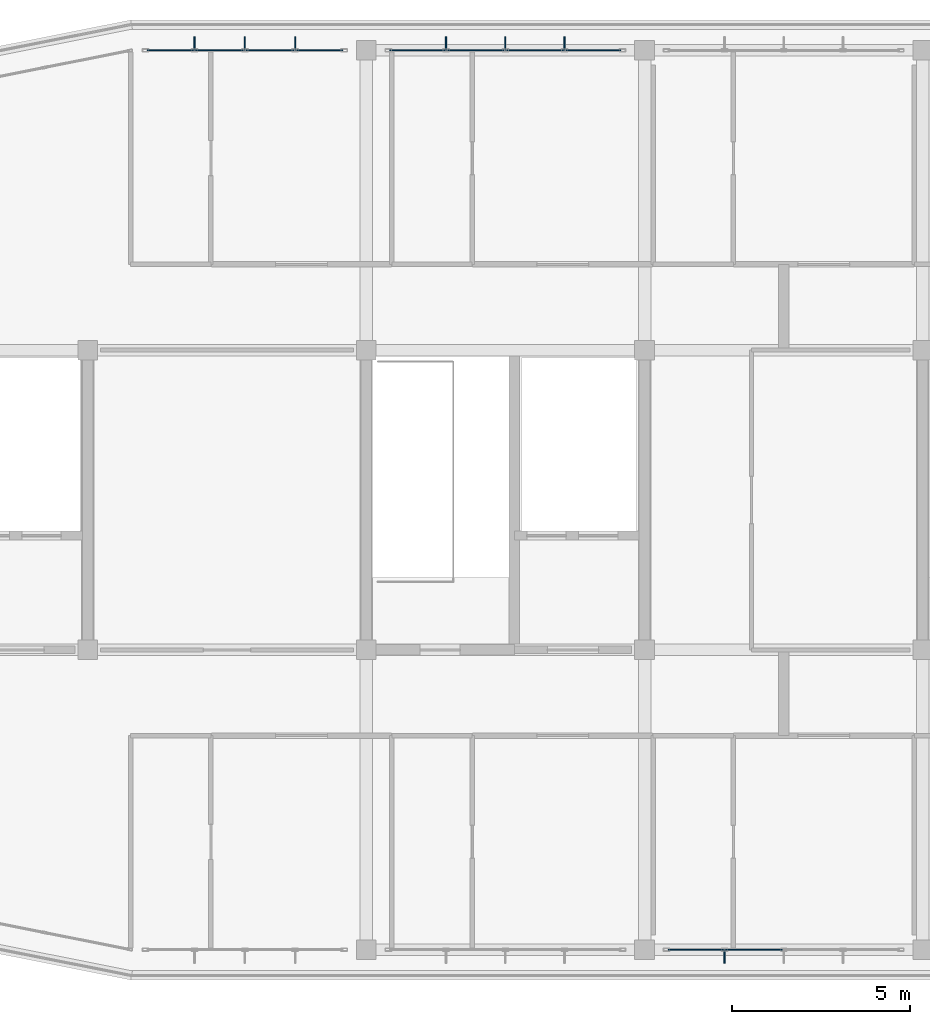
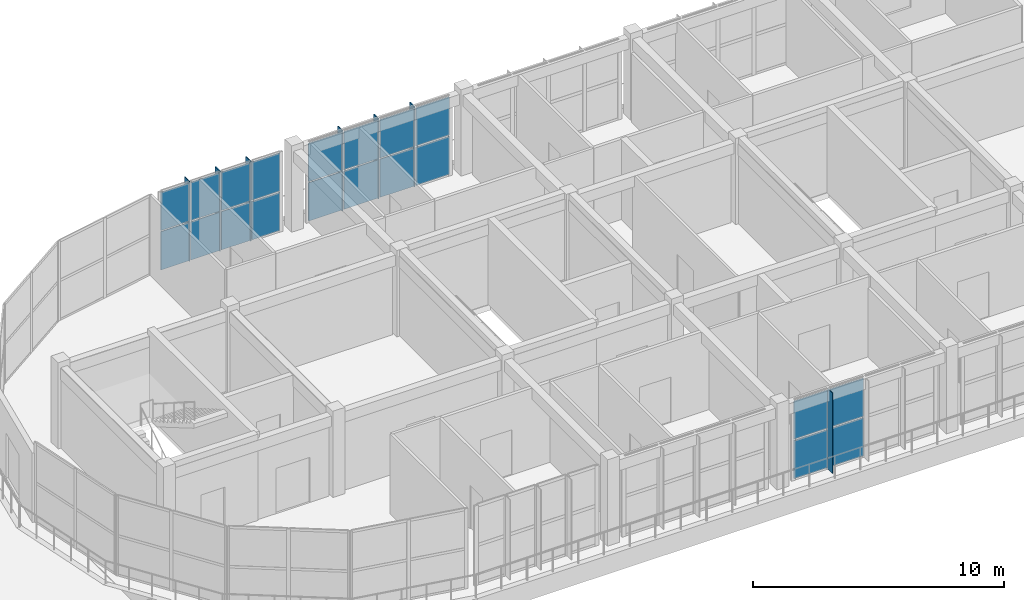
# One storey, part 23 of 33: 27 plates, 3 elements without a shape of their own.
"""IFC4 building model written with IfcOpenShell, lengths in metres."""

from ifc_helpers import new_model, si_unit, direction, frame, origin, origin_2d, place, context, subcontext, project, spatial, polyline, rectangle, outline, extrude, material, layer, layer_set, type_object, element, aggregate, save


model = new_model("IFC4")

# Units and contexts
model_context = context("Model", 3, precision=1e-05, world=origin(), true_north=direction((0.0, 1.0)))
body_context = subcontext(model_context, "Body", "Model", "MODEL_VIEW")
ifc_project = project(units=[si_unit("LENGTHUNIT", "METRE"), si_unit("AREAUNIT", "SQUARE_METRE"), si_unit("VOLUMEUNIT", "CUBIC_METRE"), si_unit("PLANEANGLEUNIT", "RADIAN"), si_unit("MASSUNIT", "GRAM", prefix="KILO")], contexts=[model_context])

# Site, building, storey
site_placement = place(None, origin())
site = spatial("IfcSite", under=ifc_project, at=site_placement, CompositionType="ELEMENT")
building_placement = place(site_placement, origin())
building = spatial("IfcBuilding", under=site, at=building_placement, Name="Zizhar Promenade General Hospital", CompositionType="ELEMENT")
storey_placement = place(building_placement, frame((0.0, 0.0, 39.0)))
storey = spatial("IfcBuildingStorey", under=building, at=storey_placement, Name="L09", CompositionType="ELEMENT", Elevation=39.0)

# Curtain wall, plates
ifc_material_1 = material(Name="Anodised aluminium 6063-T6 and low-E glass", Category="aluminium")
ifc_layer_1 = layer(ifc_material_1, 0.159912109375)
ifc_layer_set_1 = layer_set([ifc_layer_1], Name="Anodised aluminium 6063-T6 and low-E glass")
curtain_wall_type = type_object("IfcCurtainWallType", Name="CW-WARD-RIB", PredefinedType="NOTDEFINED", material=ifc_layer_set_1)
curtain_wall_1_placement = place(storey_placement, origin())
curtain_wall_1 = element("IfcCurtainWall", 1, at=curtain_wall_1_placement, inside=storey, type_object=curtain_wall_type, Name="Ward Ribbon Curtain Wall L09-8-0", PredefinedType="NOTDEFINED")
ifc_material_2 = material(Name="Low-E solar-control glass", Category="glass")
ifc_layer_2 = layer(ifc_material_2, 0.031982421875)
ifc_layer_set_2 = layer_set([ifc_layer_2], Name="Low-E solar-control glass")
plate_type_1 = type_object("IfcPlateType", Name="CWP-GLZ-32", PredefinedType="CURTAIN_PANEL", material=ifc_layer_set_2)
plate_1_placement = place(storey_placement, frame((56.905029296875, 25.199951171875, 0.06005859375), z_axis=(0.0, 0.0, 1.0), x_axis=(1.0, 0.0, 0.0)))
plate_1 = element("IfcPlate", 2, at=plate_1_placement, type_object=plate_type_1, Name="CW-13 panel 1.1", PredefinedType="CURTAIN_PANEL", context=body_context, shape_type="SweptSolid", body=[
    extrude(rectangle(XDim=1.2900390625, YDim=0.031982421875, at=origin_2d()), origin(), (0.0, 0.0, 1.0), 1.860107421875),
])
plate_2_placement = place(storey_placement, frame((56.905029296875, 25.199951171875, 1.97998046875), z_axis=(0.0, 0.0, 1.0), x_axis=(1.0, 0.0, 0.0)))
plate_2 = element("IfcPlate", 3, at=plate_2_placement, type_object=plate_type_1, Name="CW-13 panel 1.2", PredefinedType="CURTAIN_PANEL", context=body_context, shape_type="SweptSolid", body=[
    extrude(rectangle(XDim=1.2900390625, YDim=0.031982421875, at=origin_2d()), origin(), (0.0, 0.0, 1.0), 1.860107421875),
])
plate_3_placement = place(storey_placement, frame((58.294921875, 25.199951171875, 0.06005859375), z_axis=(0.0, 0.0, 1.0), x_axis=(1.0, 0.0, 0.0)))
plate_3 = element("IfcPlate", 4, at=plate_3_placement, type_object=plate_type_1, Name="CW-13 panel 2.1", PredefinedType="CURTAIN_PANEL", context=body_context, shape_type="SweptSolid", body=[
    extrude(rectangle(XDim=1.330078125, YDim=0.031982421875, at=origin_2d()), origin(), (0.0, 0.0, 1.0), 1.860107421875),
])
plate_4_placement = place(storey_placement, frame((58.294921875, 25.199951171875, 1.97998046875), z_axis=(0.0, 0.0, 1.0), x_axis=(1.0, 0.0, 0.0)))
plate_4 = element("IfcPlate", 5, at=plate_4_placement, type_object=plate_type_1, Name="CW-13 panel 2.2", PredefinedType="CURTAIN_PANEL", context=body_context, shape_type="SweptSolid", body=[
    extrude(rectangle(XDim=1.330078125, YDim=0.031982421875, at=origin_2d()), origin(), (0.0, 0.0, 1.0), 1.860107421875),
])
plate_5_placement = place(storey_placement, frame((59.705078125, 25.199951171875, 0.06005859375), z_axis=(0.0, 0.0, 1.0), x_axis=(1.0, 0.0, 0.0)))
plate_5 = element("IfcPlate", 6, at=plate_5_placement, type_object=plate_type_1, Name="CW-13 panel 3.1", PredefinedType="CURTAIN_PANEL", context=body_context, shape_type="SweptSolid", body=[
    extrude(rectangle(XDim=1.330078125, YDim=0.031982421875, at=origin_2d()), origin(), (0.0, 0.0, 1.0), 1.860107421875),
])
plate_6_placement = place(storey_placement, frame((59.705078125, 25.199951171875, 1.97998046875), z_axis=(0.0, 0.0, 1.0), x_axis=(1.0, 0.0, 0.0)))
plate_6 = element("IfcPlate", 7, at=plate_6_placement, type_object=plate_type_1, Name="CW-13 panel 3.2", PredefinedType="CURTAIN_PANEL", context=body_context, shape_type="SweptSolid", body=[
    extrude(rectangle(XDim=1.330078125, YDim=0.031982421875, at=origin_2d()), origin(), (0.0, 0.0, 1.0), 1.860107421875),
])
plate_7_placement = place(storey_placement, frame((61.094970703125, 25.199951171875, 0.06005859375), z_axis=(0.0, 0.0, 1.0), x_axis=(1.0, 0.0, 0.0)))
plate_7 = element("IfcPlate", 8, at=plate_7_placement, type_object=plate_type_1, Name="CW-13 panel 4.1", PredefinedType="CURTAIN_PANEL", context=body_context, shape_type="SweptSolid", body=[
    extrude(rectangle(XDim=1.2900390625, YDim=0.031982421875, at=origin_2d()), origin(), (0.0, 0.0, 1.0), 1.860107421875),
])
plate_8_placement = place(storey_placement, frame((61.094970703125, 25.199951171875, 1.97998046875), z_axis=(0.0, 0.0, 1.0), x_axis=(1.0, 0.0, 0.0)))
plate_8 = element("IfcPlate", 9, at=plate_8_placement, type_object=plate_type_1, Name="CW-13 panel 4.2", PredefinedType="CURTAIN_PANEL", context=body_context, shape_type="SweptSolid", body=[
    extrude(rectangle(XDim=1.2900390625, YDim=0.031982421875, at=origin_2d()), origin(), (0.0, 0.0, 1.0), 1.860107421875),
])
aggregate(curtain_wall_1, [plate_1, plate_2, plate_3, plate_4, plate_5, plate_6, plate_7, plate_8])

curtain_wall_2_placement = place(storey_placement, origin())
curtain_wall_2 = element("IfcCurtainWall", 10, at=curtain_wall_2_placement, inside=storey, type_object=curtain_wall_type, Name="Ward Ribbon Curtain Wall L09-8-1", PredefinedType="NOTDEFINED")
plate_9_placement = place(storey_placement, frame((63.830078125, 25.199951171875, 0.06005859375), z_axis=(0.0, 0.0, 1.0), x_axis=(1.0, 0.0, 0.0)))
plate_9 = element("IfcPlate", 11, at=plate_9_placement, type_object=plate_type_1, Name="CW-13 panel 1.1", PredefinedType="CURTAIN_PANEL", context=body_context, shape_type="SweptSolid", body=[
    extrude(rectangle(XDim=1.5400390625, YDim=0.031982421875, at=origin_2d()), origin(), (0.0, 0.0, 1.0), 1.860107421875),
])
plate_10_placement = place(storey_placement, frame((63.830078125, 25.199951171875, 1.97998046875), z_axis=(0.0, 0.0, 1.0), x_axis=(1.0, 0.0, 0.0)))
plate_10 = element("IfcPlate", 12, at=plate_10_placement, type_object=plate_type_1, Name="CW-13 panel 1.2", PredefinedType="CURTAIN_PANEL", context=body_context, shape_type="SweptSolid", body=[
    extrude(rectangle(XDim=1.5400390625, YDim=0.031982421875, at=origin_2d()), origin(), (0.0, 0.0, 1.0), 1.860107421875),
])
plate_11_placement = place(storey_placement, frame((65.469970703125, 25.199951171875, 0.06005859375), z_axis=(0.0, 0.0, 1.0), x_axis=(1.0, 0.0, 0.0)))
plate_11 = element("IfcPlate", 13, at=plate_11_placement, type_object=plate_type_1, Name="CW-13 panel 2.1", PredefinedType="CURTAIN_PANEL", context=body_context, shape_type="SweptSolid", body=[
    extrude(rectangle(XDim=1.580078125, YDim=0.031982421875, at=origin_2d()), origin(), (0.0, 0.0, 1.0), 1.860107421875),
])
plate_12_placement = place(storey_placement, frame((65.469970703125, 25.199951171875, 1.97998046875), z_axis=(0.0, 0.0, 1.0), x_axis=(1.0, 0.0, 0.0)))
plate_12 = element("IfcPlate", 14, at=plate_12_placement, type_object=plate_type_1, Name="CW-13 panel 2.2", PredefinedType="CURTAIN_PANEL", context=body_context, shape_type="SweptSolid", body=[
    extrude(rectangle(XDim=1.580078125, YDim=0.031982421875, at=origin_2d()), origin(), (0.0, 0.0, 1.0), 1.860107421875),
])
plate_13_placement = place(storey_placement, frame((67.1298828125, 25.199951171875, 0.06005859375), z_axis=(0.0, 0.0, 1.0), x_axis=(1.0, 0.0, 0.0)))
plate_13 = element("IfcPlate", 15, at=plate_13_placement, type_object=plate_type_1, Name="CW-13 panel 3.1", PredefinedType="CURTAIN_PANEL", context=body_context, shape_type="SweptSolid", body=[
    extrude(rectangle(XDim=1.580078125, YDim=0.031982421875, at=origin_2d()), origin(), (0.0, 0.0, 1.0), 1.860107421875),
])
plate_14_placement = place(storey_placement, frame((67.1298828125, 25.199951171875, 1.97998046875), z_axis=(0.0, 0.0, 1.0), x_axis=(1.0, 0.0, 0.0)))
plate_14 = element("IfcPlate", 16, at=plate_14_placement, type_object=plate_type_1, Name="CW-13 panel 3.2", PredefinedType="CURTAIN_PANEL", context=body_context, shape_type="SweptSolid", body=[
    extrude(rectangle(XDim=1.580078125, YDim=0.031982421875, at=origin_2d()), origin(), (0.0, 0.0, 1.0), 1.860107421875),
])
plate_15_placement = place(storey_placement, frame((68.77001953125, 25.199951171875, 0.06005859375), z_axis=(0.0, 0.0, 1.0), x_axis=(1.0, 0.0, 0.0)))
plate_15 = element("IfcPlate", 17, at=plate_15_placement, type_object=plate_type_1, Name="CW-13 panel 4.1", PredefinedType="CURTAIN_PANEL", context=body_context, shape_type="SweptSolid", body=[
    extrude(rectangle(XDim=1.5400390625, YDim=0.031982421875, at=origin_2d()), origin(), (0.0, 0.0, 1.0), 1.860107421875),
])
plate_16_placement = place(storey_placement, frame((68.77001953125, 25.199951171875, 1.97998046875), z_axis=(0.0, 0.0, 1.0), x_axis=(1.0, 0.0, 0.0)))
plate_16 = element("IfcPlate", 18, at=plate_16_placement, type_object=plate_type_1, Name="CW-13 panel 4.2", PredefinedType="CURTAIN_PANEL", context=body_context, shape_type="SweptSolid", body=[
    extrude(rectangle(XDim=1.5400390625, YDim=0.031982421875, at=origin_2d()), origin(), (0.0, 0.0, 1.0), 1.860107421875),
])
aggregate(curtain_wall_2, [plate_9, plate_10, plate_11, plate_12, plate_13, plate_14, plate_15, plate_16])

curtain_wall_3_placement = place(storey_placement, origin())
curtain_wall_3 = element("IfcCurtainWall", 19, at=curtain_wall_3_placement, inside=storey, type_object=curtain_wall_type, Name="Ward Ribbon Curtain Wall L09-17-2", PredefinedType="NOTDEFINED")
plate_17_placement = place(storey_placement, frame((73.27001953125, 0.0, 0.06005859375), z_axis=(0.0, 0.0, 1.0), x_axis=(-1.0, 0.0, 0.0)))
plate_17 = element("IfcPlate", 20, at=plate_17_placement, type_object=plate_type_1, Name="CW-13 panel 3.1", PredefinedType="CURTAIN_PANEL", context=body_context, shape_type="SweptSolid", body=[
    extrude(rectangle(XDim=1.580078125, YDim=0.031982421875, at=origin_2d()), origin(), (0.0, 0.0, 1.0), 1.860107421875),
])
plate_18_placement = place(storey_placement, frame((73.27001953125, 0.0, 1.97998046875), z_axis=(0.0, 0.0, 1.0), x_axis=(-1.0, 0.0, 0.0)))
plate_18 = element("IfcPlate", 21, at=plate_18_placement, type_object=plate_type_1, Name="CW-13 panel 3.2", PredefinedType="CURTAIN_PANEL", context=body_context, shape_type="SweptSolid", body=[
    extrude(rectangle(XDim=1.580078125, YDim=0.031982421875, at=origin_2d()), origin(), (0.0, 0.0, 1.0), 1.860107421875),
])
plate_19_placement = place(storey_placement, frame((71.6298828125, 0.0, 0.06005859375), z_axis=(0.0, 0.0, 1.0), x_axis=(-1.0, 0.0, 0.0)))
plate_19 = element("IfcPlate", 22, at=plate_19_placement, type_object=plate_type_1, Name="CW-13 panel 4.1", PredefinedType="CURTAIN_PANEL", context=body_context, shape_type="SweptSolid", body=[
    extrude(rectangle(XDim=1.5400390625, YDim=0.031982421875, at=origin_2d()), origin(), (0.0, 0.0, 1.0), 1.860107421875),
])
plate_20_placement = place(storey_placement, frame((71.6298828125, 0.0, 1.97998046875), z_axis=(0.0, 0.0, 1.0), x_axis=(-1.0, 0.0, 0.0)))
plate_20 = element("IfcPlate", 23, at=plate_20_placement, type_object=plate_type_1, Name="CW-13 panel 4.2", PredefinedType="CURTAIN_PANEL", context=body_context, shape_type="SweptSolid", body=[
    extrude(rectangle(XDim=1.5400390625, YDim=0.031982421875, at=origin_2d()), origin(), (0.0, 0.0, 1.0), 1.860107421875),
])
aggregate(curtain_wall_3, [plate_17, plate_18, plate_19, plate_20])

# Plates
ifc_material_3 = material(Name="Anodised aluminium 6063-T6", Category="aluminium")
ifc_layer_3 = layer(ifc_material_3, 0.035888671875)
ifc_layer_set_3 = layer_set([ifc_layer_3], Name="Anodised aluminium 6063-T6")
plate_type_2 = type_object("IfcPlateType", Name="FIN-ALU-380", PredefinedType="USERDEFINED", material=ifc_layer_set_3)
plate_21_placement = place(storey_placement, origin())
element("IfcPlate", 24, at=plate_21_placement, inside=storey, type_object=plate_type_2, Name="Ward Ribbon Curtain Wall L09-8-0 Solar Fin 1", ObjectType="SOLAR_SHADE", PredefinedType="USERDEFINED", context=body_context, shape_type="SweptSolid", body=[
    extrude(outline(polyline([(57.572021484375, 25.199951171875), (57.60791015625, 25.199951171875), (57.60791015625, 25.580078125), (57.572021484375, 25.580078125), (57.572021484375, 25.199951171875)])), origin(), (0.0, 0.0, 1.0), 3.89990234375),
])
plate_22_placement = place(storey_placement, origin())
element("IfcPlate", 25, at=plate_22_placement, inside=storey, type_object=plate_type_2, Name="Ward Ribbon Curtain Wall L09-8-0 Solar Fin 2", ObjectType="SOLAR_SHADE", PredefinedType="USERDEFINED", context=body_context, shape_type="SweptSolid", body=[
    extrude(outline(polyline([(58.98193359375, 25.199951171875), (59.01806640625, 25.199951171875), (59.01806640625, 25.580078125), (58.98193359375, 25.580078125), (58.98193359375, 25.199951171875)])), origin(), (0.0, 0.0, 1.0), 3.89990234375),
])
plate_23_placement = place(storey_placement, origin())
element("IfcPlate", 26, at=plate_23_placement, inside=storey, type_object=plate_type_2, Name="Ward Ribbon Curtain Wall L09-8-0 Solar Fin 3", ObjectType="SOLAR_SHADE", PredefinedType="USERDEFINED", context=body_context, shape_type="SweptSolid", body=[
    extrude(outline(polyline([(60.39208984375, 25.199951171875), (60.427978515625, 25.199951171875), (60.427978515625, 25.580078125), (60.39208984375, 25.580078125), (60.39208984375, 25.199951171875)])), origin(), (0.0, 0.0, 1.0), 3.89990234375),
])
plate_24_placement = place(storey_placement, origin())
element("IfcPlate", 27, at=plate_24_placement, inside=storey, type_object=plate_type_2, Name="Ward Ribbon Curtain Wall L09-8-1 Solar Fin 1", ObjectType="SOLAR_SHADE", PredefinedType="USERDEFINED", context=body_context, shape_type="SweptSolid", body=[
    extrude(outline(polyline([(64.6220703125, 25.199951171875), (64.657958984375, 25.199951171875), (64.657958984375, 25.580078125), (64.6220703125, 25.580078125), (64.6220703125, 25.199951171875)])), origin(), (0.0, 0.0, 1.0), 3.89990234375),
])
plate_25_placement = place(storey_placement, origin())
element("IfcPlate", 28, at=plate_25_placement, inside=storey, type_object=plate_type_2, Name="Ward Ribbon Curtain Wall L09-8-1 Solar Fin 2", ObjectType="SOLAR_SHADE", PredefinedType="USERDEFINED", context=body_context, shape_type="SweptSolid", body=[
    extrude(outline(polyline([(66.281982421875, 25.199951171875), (66.318115234375, 25.199951171875), (66.318115234375, 25.580078125), (66.281982421875, 25.580078125), (66.281982421875, 25.199951171875)])), origin(), (0.0, 0.0, 1.0), 3.89990234375),
])
plate_26_placement = place(storey_placement, origin())
element("IfcPlate", 29, at=plate_26_placement, inside=storey, type_object=plate_type_2, Name="Ward Ribbon Curtain Wall L09-8-1 Solar Fin 3", ObjectType="SOLAR_SHADE", PredefinedType="USERDEFINED", context=body_context, shape_type="SweptSolid", body=[
    extrude(outline(polyline([(67.94189453125, 25.199951171875), (67.97802734375, 25.199951171875), (67.97802734375, 25.580078125), (67.94189453125, 25.580078125), (67.94189453125, 25.199951171875)])), origin(), (0.0, 0.0, 1.0), 3.89990234375),
])
plate_27_placement = place(storey_placement, origin())
element("IfcPlate", 30, at=plate_27_placement, inside=storey, type_object=plate_type_2, Name="Ward Ribbon Curtain Wall L09-17-2 Solar Fin 3", ObjectType="SOLAR_SHADE", PredefinedType="USERDEFINED", context=body_context, shape_type="SweptSolid", body=[
    extrude(outline(polyline([(72.4580078125, 0.0), (72.422119140625, 0.0), (72.422119140625, -0.3798828125), (72.4580078125, -0.3798828125), (72.4580078125, 0.0)])), origin(), (0.0, 0.0, 1.0), 3.89990234375),
])

save(model, "model.ifc")
